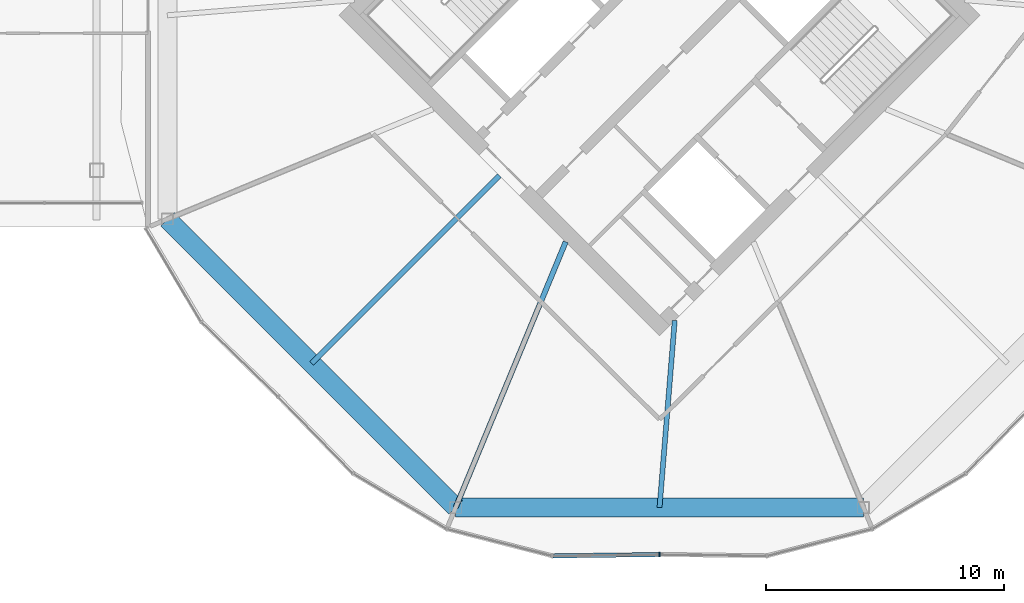
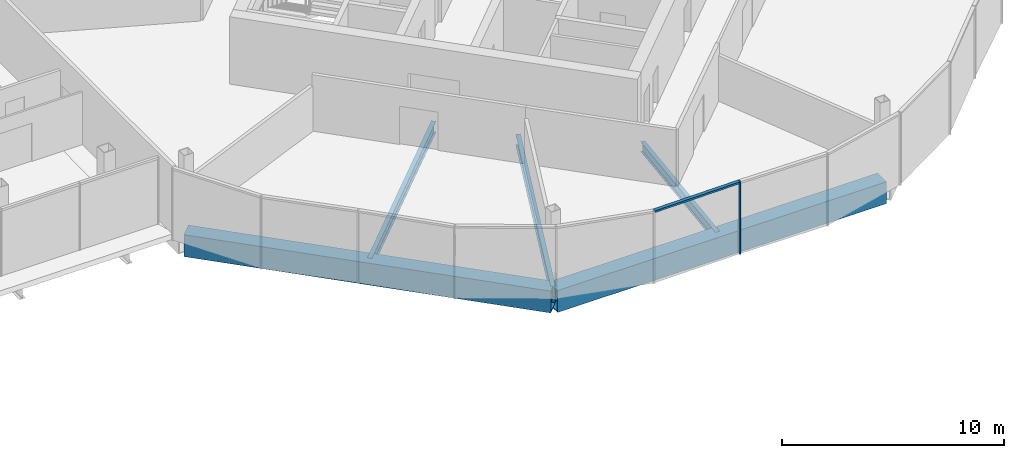
# One storey, part 13 of 26: 5 beams, 2 members, 1 element without a shape of its own.
"""IFC4 building model written with IfcOpenShell, lengths in metres."""

from ifc_helpers import new_model, si_unit, direction, frame, origin, origin_2d, place, context, subcontext, project, spatial, rectangle, hollow_rectangle, i_section, extrude, material, material_profile, profile_set, type_object, element, aggregate, save


model = new_model("IFC4")

# Units and contexts
model_context = context("Model", 3, precision=1e-05, world=origin(), true_north=direction((0.0, 1.0)))
body_context = subcontext(model_context, "Body", "Model", "MODEL_VIEW")
ifc_project = project(units=[si_unit("LENGTHUNIT", "METRE"), si_unit("AREAUNIT", "SQUARE_METRE"), si_unit("VOLUMEUNIT", "CUBIC_METRE"), si_unit("PLANEANGLEUNIT", "RADIAN"), si_unit("MASSUNIT", "GRAM", prefix="KILO")], contexts=[model_context])

# Site, building, storey
site_placement = place(None, origin())
site = spatial("IfcSite", under=ifc_project, at=site_placement, CompositionType="ELEMENT")
building_placement = place(site_placement, origin())
building = spatial("IfcBuilding", under=site, at=building_placement, Name="Ogive Gate Towers", CompositionType="ELEMENT")
storey_placement = place(building_placement, frame((0.0, 0.0, 148.800048828125)))
storey = spatial("IfcBuildingStorey", under=building, at=storey_placement, Name="L35", CompositionType="ELEMENT", Elevation=148.800048828125)

# Beams
ifc_material_1 = material(Name="Steel SM460", Category="steel")
ifc_material_profile_1 = material_profile(ifc_material_1, hollow_rectangle(XDim=0.800048828125, YDim=1.199951171875, WallThickness=0.050048828125, at=origin_2d()), Name="BX 1200x800x50")
ifc_profile_set_1 = profile_set([ifc_material_profile_1], Name="Steel SM460")
beam_type_1 = type_object("IfcBeamType", Name="Edge girder BX 1200x800x50", PredefinedType="BEAM", material=ifc_profile_set_1)
beam_1_placement = place(storey_placement, frame((15.360595703125, -8.549072265625, -0.900146484375), z_axis=(0.707106781187, -0.707106781187, 0.0), x_axis=(0.707106781187, 0.707106781187, 0.0)))
element("IfcBeam", 1, at=beam_1_placement, inside=storey, type_object=beam_type_1, Name="T2/L35/SBM017", PredefinedType="BEAM", context=body_context, shape_type="SweptSolid", body=[
    extrude(hollow_rectangle(XDim=0.800048828125, YDim=1.199951171875, WallThickness=0.050048828125, at=origin_2d()), origin(), (0.0, 0.0, 1.0), 17.098388671875),
])
beam_2_placement = place(storey_placement, frame((27.450927734375, -20.639404296875, -0.900146484375), z_axis=(1.0, 0.0, 0.0), x_axis=(0.0, 1.0, 0.0)))
element("IfcBeam", 2, at=beam_2_placement, inside=storey, type_object=beam_type_1, Name="T2/L35/SBM018", PredefinedType="BEAM", context=body_context, shape_type="SweptSolid", body=[
    extrude(hollow_rectangle(XDim=0.800048828125, YDim=1.199951171875, WallThickness=0.050048828125, at=origin_2d()), origin(), (0.0, 0.0, 1.0), 17.09814453125),
])
ifc_material_2 = material(Name="Steel SM355", Category="steel")
ifc_material_profile_2 = material_profile(ifc_material_2, i_section(OverallWidth=0.2099609375, OverallDepth=0.550048828125, WebThickness=0.010986328125, FlangeThickness=0.01708984375, FilletRadius=0.02392578125, at=origin_2d()), Name="IPE 550")
ifc_profile_set_2 = profile_set([ifc_material_profile_2], Name="Steel SM355")
beam_type_2 = type_object("IfcBeamType", Name="Radial floor beam IPE 550", PredefinedType="BEAM", material=ifc_profile_set_2)
beam_3_placement = place(storey_placement, frame((36.636474609375, -12.798583984375, -0.574951171875), z_axis=(-0.080908365468, -0.996721544062, 0.0), x_axis=(0.996721544062, -0.080908365468, 0.0)))
element("IfcBeam", 3, at=beam_3_placement, inside=storey, type_object=beam_type_2, Name="T2/L35/SBM004", PredefinedType="BEAM", context=body_context, shape_type="SweptSolid", body=[
    extrude(i_section(OverallWidth=0.2099609375, OverallDepth=0.550048828125, WebThickness=0.010986328125, FlangeThickness=0.01708984375, FilletRadius=0.02392578125, at=origin_2d()), origin(), (0.0, 0.0, 1.0), 7.86669921875),
])
ifc_material_profile_3 = material_profile(ifc_material_2, i_section(OverallWidth=0.219970703125, OverallDepth=0.60009765625, WebThickness=0.011962890625, FlangeThickness=0.01904296875, FilletRadius=0.02392578125, at=origin_2d()), Name="IPE 600")
ifc_profile_set_3 = profile_set([ifc_material_profile_3], Name="Steel SM355")
beam_type_3 = type_object("IfcBeamType", Name="Radial floor beam IPE 600", PredefinedType="BEAM", material=ifc_profile_set_3)
beam_4_placement = place(storey_placement, frame((29.282470703125, -6.717529296875, -0.60009765625), z_axis=(-0.707106781187, -0.707106781187, 0.0), x_axis=(0.707106781187, -0.707106781187, 0.0)))
element("IfcBeam", 4, at=beam_4_placement, inside=storey, type_object=beam_type_3, Name="T2/L35/SBM002", PredefinedType="BEAM", context=body_context, shape_type="SweptSolid", body=[
    extrude(i_section(OverallWidth=0.219970703125, OverallDepth=0.60009765625, WebThickness=0.011962890625, FlangeThickness=0.01904296875, FilletRadius=0.02392578125, at=origin_2d()), origin(), (0.0, 0.0, 1.0), 11.139404296875),
])
beam_5_placement = place(storey_placement, frame((32.06494140625, -9.5, -0.60009765625), z_axis=(-0.382677863518, -0.923881839184, 0.0), x_axis=(0.923881839184, -0.382677863518, 0.0)))
element("IfcBeam", 5, at=beam_5_placement, inside=storey, type_object=beam_type_3, Name="T2/L35/SBM003", PredefinedType="BEAM", context=body_context, shape_type="SweptSolid", body=[
    extrude(i_section(OverallWidth=0.219970703125, OverallDepth=0.60009765625, WebThickness=0.011962890625, FlangeThickness=0.01904296875, FilletRadius=0.02392578125, at=origin_2d()), origin(), (0.0, 0.0, 1.0), 12.05712890625),
])

# Curtain wall, members
ifc_material_3 = material(Name="Pale metal aluminium", Category="aluminium")
curtain_wall_type = type_object("IfcCurtainWallType", Name="Tower unitised wall, high zone", PredefinedType="NOTDEFINED", material=ifc_material_3)
curtain_wall_placement = place(storey_placement, origin())
curtain_wall = element("IfcCurtainWall", 6, at=curtain_wall_placement, inside=storey, type_object=curtain_wall_type, Name="CW2 T2 ECW06", PredefinedType="NOTDEFINED")
ifc_material_profile_4 = material_profile(ifc_material_3, rectangle(XDim=0.179931640625, YDim=0.06005859375, at=origin_2d()), Name="60 x 180 aluminium box")
ifc_profile_set_4 = profile_set([ifc_material_profile_4], Name="Pale metal aluminium")
member_type_1 = type_object("IfcMemberType", Name="Tower unitised wall, high zone mullion 60 x 180", PredefinedType="MULLION", material=ifc_profile_set_4)
member_1_placement = place(storey_placement, frame((36.0, -22.610107421875, -0.300048828125), z_axis=(0.0, 0.0, 1.0), x_axis=(0.012827818167, -0.999917720156, 0.0)))
member_1 = element("IfcMember", 7, at=member_1_placement, type_object=member_type_1, Name="CW2 mullion", PredefinedType="MULLION", context=body_context, shape_type="SweptSolid", body=[
    extrude(rectangle(XDim=0.179931640625, YDim=0.06005859375, at=origin_2d()), origin(), (0.0, 0.0, 1.0), 4.0),
])
ifc_material_profile_5 = material_profile(ifc_material_3, rectangle(XDim=0.179931640625, YDim=0.10009765625, at=origin_2d()), Name="100 x 180 aluminium box")
ifc_profile_set_5 = profile_set([ifc_material_profile_5], Name="Pale metal aluminium")
member_type_2 = type_object("IfcMemberType", Name="Tower unitised wall, high zone transom 100 x 180", PredefinedType="USERDEFINED", material=ifc_profile_set_5)
member_2_placement = place(storey_placement, frame((31.527099609375, -22.66748046875, 3.64990234375), z_axis=(0.999917339021, 0.012857492984, 0.0), x_axis=(-0.012857492984, 0.999917339021, 0.0)))
member_2 = element("IfcMember", 8, at=member_2_placement, type_object=member_type_2, Name="CW2 transom", ObjectType="TRANSOM", PredefinedType="USERDEFINED", context=body_context, shape_type="SweptSolid", body=[
    extrude(rectangle(XDim=0.179931640625, YDim=0.10009765625, at=origin_2d()), origin(), (0.0, 0.0, 1.0), 4.443359375),
])
aggregate(curtain_wall, [member_1, member_2])

save(model, "model.ifc")
